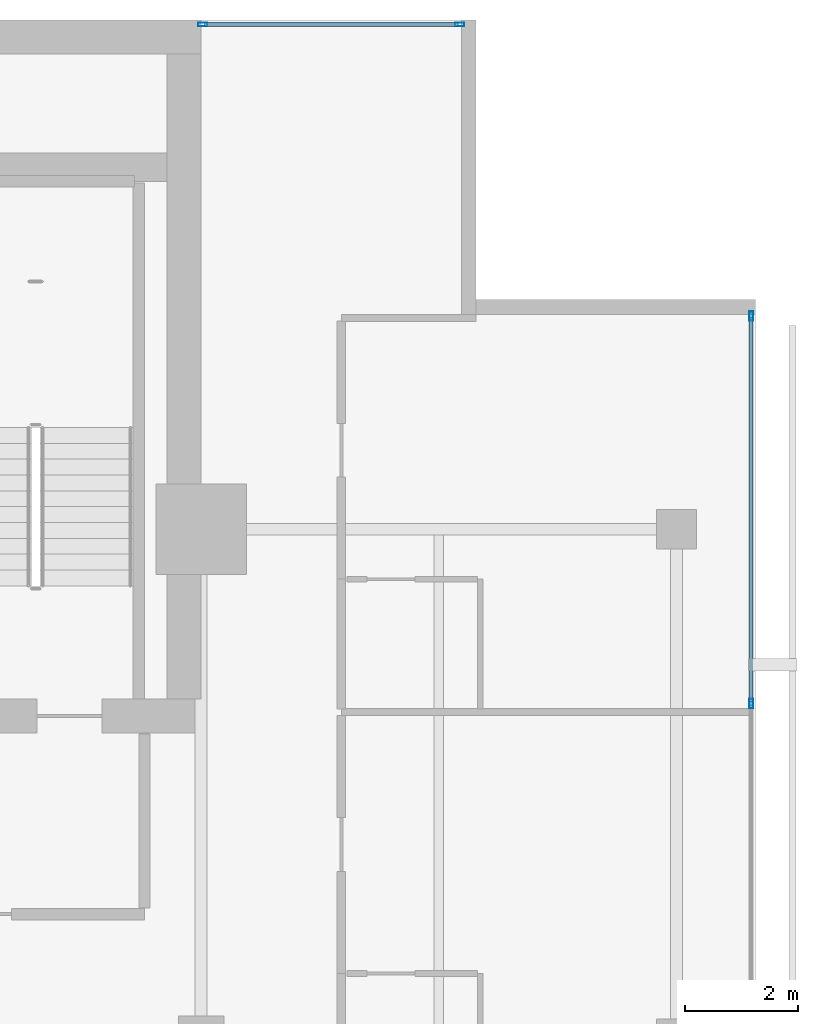
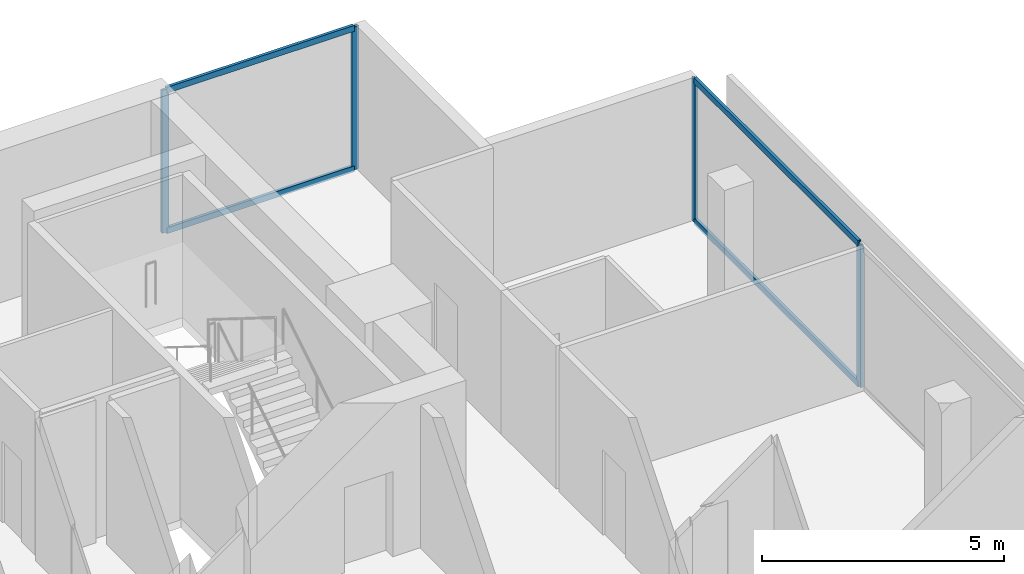
# One storey, part 18 of 26: 8 members, 2 elements without a shape of their own.
"""IFC4 building model written with IfcOpenShell, lengths in metres."""

from ifc_helpers import new_model, si_unit, direction, frame, origin, origin_2d, place, context, subcontext, project, spatial, hollow_rectangle, extrude, material, layer, layer_set, material_profile, profile_set, type_object, element, aggregate, save


model = new_model("IFC4")

# Units and contexts
model_context = context("Model", 3, precision=1e-05, world=origin(), true_north=direction((0.0, 1.0)))
body_context = subcontext(model_context, "Body", "Model", "MODEL_VIEW")
ifc_project = project(units=[si_unit("LENGTHUNIT", "METRE"), si_unit("AREAUNIT", "SQUARE_METRE"), si_unit("VOLUMEUNIT", "CUBIC_METRE"), si_unit("PLANEANGLEUNIT", "RADIAN"), si_unit("MASSUNIT", "GRAM", prefix="KILO")], contexts=[model_context])

# Site, building, storey
site_placement = place(None, origin())
site = spatial("IfcSite", under=ifc_project, at=site_placement, CompositionType="ELEMENT")
building_placement = place(site_placement, origin())
building = spatial("IfcBuilding", under=site, at=building_placement, Name="Maruvema Waterfront Hotel and Observation Tower", CompositionType="ELEMENT")
storey_placement = place(building_placement, frame((0.0, 0.0, 266.35009765625)))
storey = spatial("IfcBuildingStorey", under=building, at=storey_placement, Name="L65", CompositionType="ELEMENT", Elevation=266.35009765625)

# Curtain wall, members
ifc_material_1 = material(Name="Anodised bronze aluminium and solar-control low-E IGU", Category="aluminium")
ifc_layer = layer(ifc_material_1, 0.159912109375, Name="Zone 3 Champagne Inner Thermal Curtain Wall System CW-04")
ifc_layer_set = layer_set([ifc_layer], Name="Anodised bronze aluminium and solar-control low-E IGU")
curtain_wall_type = type_object("IfcCurtainWallType", Name="Zone 3 Champagne Inner Thermal Curtain Wall System CW-04", PredefinedType="USERDEFINED", material=ifc_layer_set)
curtain_wall_1_placement = place(storey_placement, origin())
curtain_wall_1 = element("IfcCurtainWall", 1, at=curtain_wall_1_placement, inside=storey, type_object=curtain_wall_type, Name="L65 Curtain Wall CW-L65-E", ObjectType="UNITISED CURTAIN WALL", PredefinedType="USERDEFINED")
ifc_material_2 = material(Name="Anodised architectural bronze aluminium", Category="aluminium")
ifc_material_profile_1 = material_profile(ifc_material_2, hollow_rectangle(XDim=0.070068359375, YDim=0.14990234375, WallThickness=0.00390625, at=origin_2d()), Name="ALU-T70x150")
ifc_profile_set_1 = profile_set([ifc_material_profile_1], Name="Anodised architectural bronze aluminium")
member_type_1 = type_object("IfcMemberType", Name="Curtain Wall Horizontal Transom ALU-T70x150", PredefinedType="USERDEFINED", material=ifc_profile_set_1)
member_1_placement = place(storey_placement, frame((60.1201171875, 41.949951171875, 0.02978515625), z_axis=(0.0, 1.0, 0.0), x_axis=(-1.0, 0.0, 0.0)))
member_1 = element("IfcMember", 2, at=member_1_placement, type_object=member_type_1, Name="CW-04 transom 5.1", ObjectType="TRANSOM", PredefinedType="USERDEFINED", context=body_context, shape_type="SweptSolid", body=[
    extrude(hollow_rectangle(XDim=0.070068359375, YDim=0.14990234375, WallThickness=0.00390625, at=origin_2d()), origin(), (0.0, 0.0, 1.0), 6.7900390625),
])
member_2_placement = place(storey_placement, frame((60.1201171875, 41.949951171875, 3.579833984375), z_axis=(0.0, 1.0, 0.0), x_axis=(-1.0, 0.0, 0.0)))
member_2 = element("IfcMember", 3, at=member_2_placement, type_object=member_type_1, Name="CW-04 transom 5.2", ObjectType="TRANSOM", PredefinedType="USERDEFINED", context=body_context, shape_type="SweptSolid", body=[
    extrude(hollow_rectangle(XDim=0.070068359375, YDim=0.14990234375, WallThickness=0.00390625, at=origin_2d()), origin(), (0.0, 0.0, 1.0), 6.7900390625),
])

curtain_wall_2_placement = place(storey_placement, origin())
curtain_wall_2 = element("IfcCurtainWall", 4, at=curtain_wall_2_placement, inside=storey, type_object=curtain_wall_type, Name="L65 Curtain Wall CW-L65-NE", ObjectType="UNITISED CURTAIN WALL", PredefinedType="USERDEFINED")
member_3_placement = place(storey_placement, frame((54.93994140625, 53.919921875, 0.02978515625), z_axis=(-1.0, 0.0, 0.0), x_axis=(0.0, -1.0, 0.0)))
member_3 = element("IfcMember", 5, at=member_3_placement, type_object=member_type_1, Name="CW-04 transom 1.1", ObjectType="TRANSOM", PredefinedType="USERDEFINED", context=body_context, shape_type="SweptSolid", body=[
    extrude(hollow_rectangle(XDim=0.070068359375, YDim=0.14990234375, WallThickness=0.00390625, at=origin_2d()), origin(), (0.0, 0.0, 1.0), 4.47998046875),
])
member_4_placement = place(storey_placement, frame((54.93994140625, 53.919921875, 3.579833984375), z_axis=(-1.0, 0.0, 0.0), x_axis=(0.0, -1.0, 0.0)))
member_4 = element("IfcMember", 6, at=member_4_placement, type_object=member_type_1, Name="CW-04 transom 1.2", ObjectType="TRANSOM", PredefinedType="USERDEFINED", context=body_context, shape_type="SweptSolid", body=[
    extrude(hollow_rectangle(XDim=0.070068359375, YDim=0.14990234375, WallThickness=0.00390625, at=origin_2d()), origin(), (0.0, 0.0, 1.0), 4.47998046875),
])

# Member
ifc_material_3 = material(Name="Anodised architectural bronze aluminium", Category="aluminium")
ifc_material_profile_2 = material_profile(ifc_material_3, hollow_rectangle(XDim=0.06494140625, YDim=0.1650390625, WallThickness=0.00390625, at=origin_2d()), Name="ALU-M65x165")
ifc_profile_set_2 = profile_set([ifc_material_profile_2], Name="Anodised architectural bronze aluminium")
member_type_2 = type_object("IfcMemberType", Name="Curtain Wall Primary Mullion ALU-M65x165", PredefinedType="MULLION", material=ifc_profile_set_2)
member_5_placement = place(storey_placement, frame((60.1201171875, 41.919921875, 0.0), z_axis=(0.0, 0.0, 1.0), x_axis=(-1.0, 0.0, 0.0)))
member_5 = element("IfcMember", 7, at=member_5_placement, type_object=member_type_2, Name="CW-04 mullion 5", PredefinedType="MULLION", context=body_context, shape_type="SweptSolid", body=[
    extrude(hollow_rectangle(XDim=0.06494140625, YDim=0.1650390625, WallThickness=0.00390625, at=origin_2d()), origin(), (0.0, 0.0, 1.0), 3.60986328125),
])

member_6_placement = place(storey_placement, frame((60.1201171875, 48.77001953125, 0.0), z_axis=(0.0, 0.0, 1.0), x_axis=(-1.0, 0.0, 0.0)))
member_6 = element("IfcMember", 8, at=member_6_placement, type_object=member_type_2, Name="CW-04 mullion 6", PredefinedType="MULLION", context=body_context, shape_type="SweptSolid", body=[
    extrude(hollow_rectangle(XDim=0.06494140625, YDim=0.1650390625, WallThickness=0.00390625, at=origin_2d()), origin(), (0.0, 0.0, 1.0), 3.60986328125),
])

aggregate(curtain_wall_1, [member_5, member_6, member_1, member_2])

member_7_placement = place(storey_placement, frame((54.969970703125, 53.919921875, 0.0), z_axis=(0.0, 0.0, 1.0), x_axis=(0.0, -1.0, 0.0)))
member_7 = element("IfcMember", 9, at=member_7_placement, type_object=member_type_2, Name="CW-04 mullion 1", PredefinedType="MULLION", context=body_context, shape_type="SweptSolid", body=[
    extrude(hollow_rectangle(XDim=0.06494140625, YDim=0.1650390625, WallThickness=0.00390625, at=origin_2d()), origin(), (0.0, 0.0, 1.0), 3.60986328125),
])

member_8_placement = place(storey_placement, frame((50.429931640625, 53.919921875, 0.0), z_axis=(0.0, 0.0, 1.0), x_axis=(0.0, -1.0, 0.0)))
member_8 = element("IfcMember", 10, at=member_8_placement, type_object=member_type_2, Name="CW-04 mullion 2", PredefinedType="MULLION", context=body_context, shape_type="SweptSolid", body=[
    extrude(hollow_rectangle(XDim=0.06494140625, YDim=0.1650390625, WallThickness=0.00390625, at=origin_2d()), origin(), (0.0, 0.0, 1.0), 3.60986328125),
])

aggregate(curtain_wall_2, [member_7, member_8, member_3, member_4])

save(model, "model.ifc")
